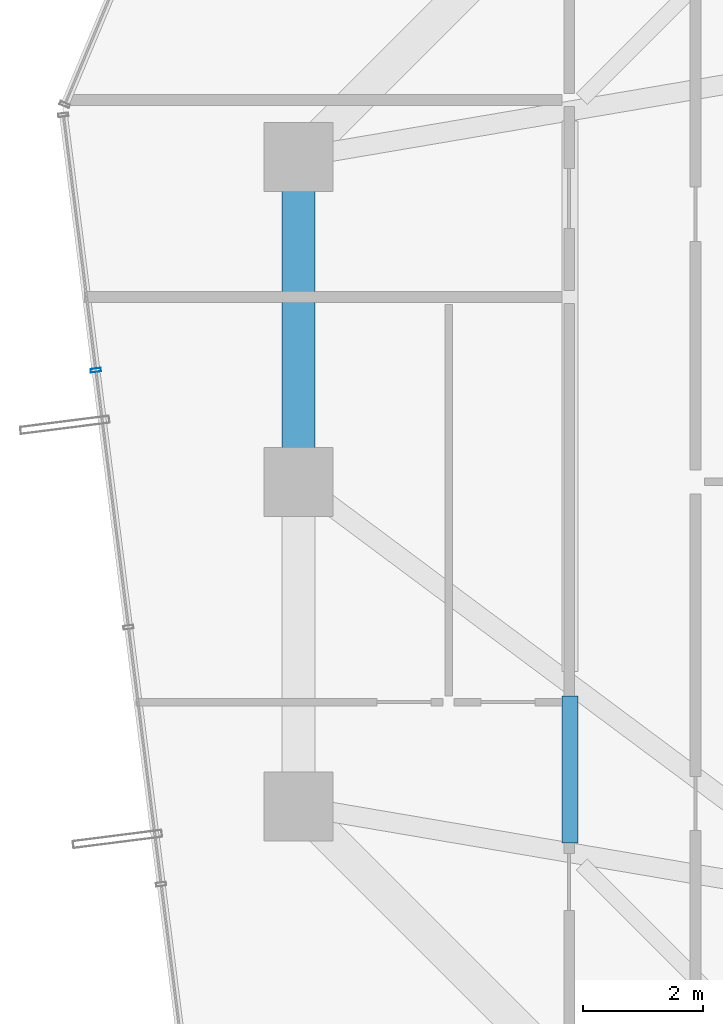
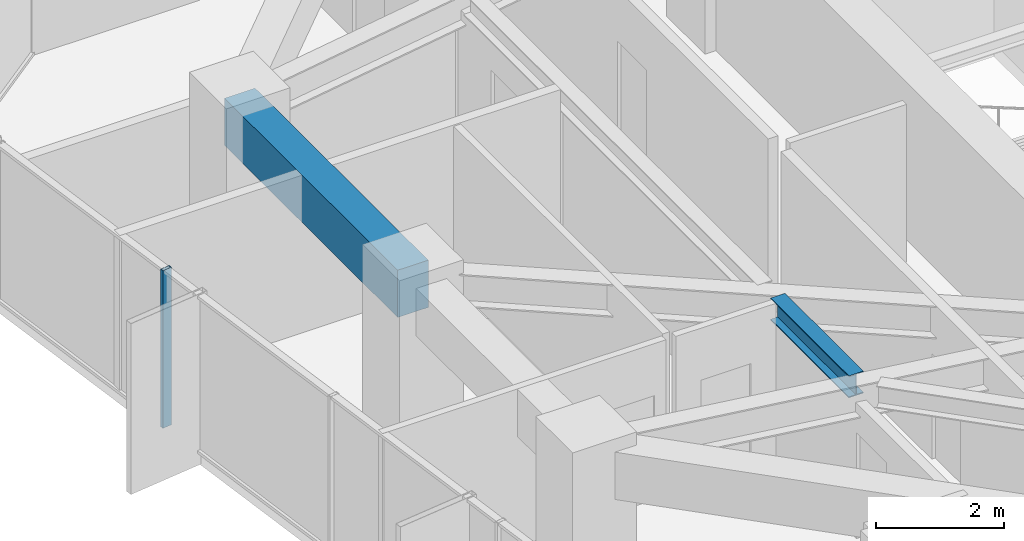
# One storey, part 11 of 33: 2 beams, 1 member, 1 element without a shape of its own.
"""IFC4 building model written with IfcOpenShell, lengths in metres."""

from ifc_helpers import new_model, si_unit, direction, frame, origin, origin_2d, place, context, subcontext, project, spatial, rectangle, hollow_rectangle, i_section, extrude, source, transform, mapped, material, layer, layer_set, material_profile, profile_set, type_object, element, aggregate, save


model = new_model("IFC4")

# Units and contexts
model_context = context("Model", 3, precision=1e-05, world=origin(), true_north=direction((0.0, 1.0)))
body_context = subcontext(model_context, "Body", "Model", "MODEL_VIEW")
ifc_project = project(units=[si_unit("LENGTHUNIT", "METRE"), si_unit("AREAUNIT", "SQUARE_METRE"), si_unit("VOLUMEUNIT", "CUBIC_METRE"), si_unit("PLANEANGLEUNIT", "RADIAN"), si_unit("MASSUNIT", "GRAM", prefix="KILO")], contexts=[model_context])

# Site, building, storey
site_placement = place(None, origin())
site = spatial("IfcSite", under=ifc_project, at=site_placement, CompositionType="ELEMENT")
building_placement = place(site_placement, origin())
building = spatial("IfcBuilding", under=site, at=building_placement, Name="Veraguas Prism Commons", CompositionType="ELEMENT")
storey_placement = place(building_placement, frame((0.0, 0.0, 152.25)))
storey = spatial("IfcBuildingStorey", under=building, at=storey_placement, Name="L43", CompositionType="ELEMENT", Elevation=152.25)

# Beams
ifc_material_1 = material(Name="Steel ASTM A992 Grade 50", Category="steel")
ifc_material_profile_1 = material_profile(ifc_material_1, i_section(OverallWidth=0.260986328125, OverallDepth=0.419921875, WebThickness=0.01171875, FlangeThickness=0.019287109375, at=origin_2d()), Name="W410X114")
ifc_profile_set_1 = profile_set([ifc_material_profile_1], Name="Steel ASTM A992 Grade 50")
beam_type_1 = type_object("IfcBeamType", Name="Lower Floor Joist W410x114", PredefinedType="JOIST", material=ifc_profile_set_1)
beam_1_placement = place(storey_placement, frame((12.31201171875, 20.43798828125, 2.7900390625), z_axis=(0.0, -1.0, 0.0), x_axis=(1.0, 0.0, 0.0)))
element("IfcBeam", 1, at=beam_1_placement, inside=storey, type_object=beam_type_1, Name="Composite Floor Joist L43-JS08", PredefinedType="JOIST", context=body_context, shape_type="SweptSolid", body=[
    extrude(i_section(OverallWidth=0.260986328125, OverallDepth=0.419921875, WebThickness=0.01171875, FlangeThickness=0.019287109375, at=origin_2d()), origin(), (0.0, 0.0, 1.0), 2.441650390625),
])
ifc_material_2 = material(Name="Concrete C50/60", Category="concrete")
ifc_material_profile_2 = material_profile(ifc_material_2, rectangle(XDim=0.550048828125, YDim=0.89990234375, at=origin_2d()), Name="RC550X900")
ifc_profile_set_2 = profile_set([ifc_material_profile_2], Name="Concrete C50/60")
beam_type_2 = type_object("IfcBeamType", Name="Perimeter Spandrel Lower RC 550x900", PredefinedType="SPANDREL", material=ifc_profile_set_2)
beam_2_placement = place(storey_placement, frame((7.800048828125, 29.39990234375, 2.550048828125), z_axis=(0.0, -1.0, 0.0), x_axis=(1.0, 0.0, 0.0)))
element("IfcBeam", 2, at=beam_2_placement, inside=storey, type_object=beam_type_2, Name="Perimeter Spandrel Beam L43-SP07", PredefinedType="SPANDREL", context=body_context, shape_type="SweptSolid", body=[
    extrude(rectangle(XDim=0.550048828125, YDim=0.89990234375, at=origin_2d()), origin(), (0.0, 0.0, 1.0), 5.39990234375),
])

# Curtain wall, member
ifc_material_3 = material(Name="Anodised aluminium EN AW-6063 T6", Category="aluminium")
ifc_layer = layer(ifc_material_3, 0.169921875, Name="Unitised Flush Curtain Wall Zone 2", Category="aluminium")
ifc_layer_set = layer_set([ifc_layer], Name="Anodised aluminium EN AW-6063 T6")
curtain_wall_type = type_object("IfcCurtainWallType", Name="Unitised Flush Curtain Wall Zone 2", PredefinedType="NOTDEFINED", material=ifc_layer_set)
curtain_wall_placement = place(storey_placement, origin())
curtain_wall = element("IfcCurtainWall", 3, at=curtain_wall_placement, inside=storey, type_object=curtain_wall_type, Name="Tower Facade Curtain Wall L43-F3", PredefinedType="NOTDEFINED")
ifc_material_profile_3 = material_profile(ifc_material_3, hollow_rectangle(XDim=0.06005859375, YDim=0.169921875, WallThickness=0.00390625, at=origin_2d()), Name="AL60X170X4")
ifc_profile_set_3 = profile_set([ifc_material_profile_3], Name="Anodised aluminium EN AW-6063 T6")
member_type = type_object("IfcMemberType", Name="Curtain Wall Mullion Lower AL 60x170x4", PredefinedType="MULLION", material=ifc_profile_set_3)
shared_shape = source(origin(), body_context, "Body", "SweptSolid", [
    extrude(hollow_rectangle(XDim=0.06005859375, YDim=0.169921875, WallThickness=0.00390625, at=origin_2d()), origin(), (0.0, 0.0, 1.0), 3.0),
])
member_placement = place(storey_placement, frame((4.427490234375, 25.856689453125, 0.0), z_axis=(0.0, 0.0, 1.0), x_axis=(0.126020635446, -0.992027620302, 0.0)))
member = element("IfcMember", 4, at=member_placement, type_object=member_type, Name="CW-Z2 Mullion 2", PredefinedType="MULLION", context=body_context, shape_type="MappedRepresentation", body=[
    mapped(shared_shape, transform((0.0, 0.0, 0.0), scale=1.0)),
])
aggregate(curtain_wall, [member])

save(model, "model.ifc")
